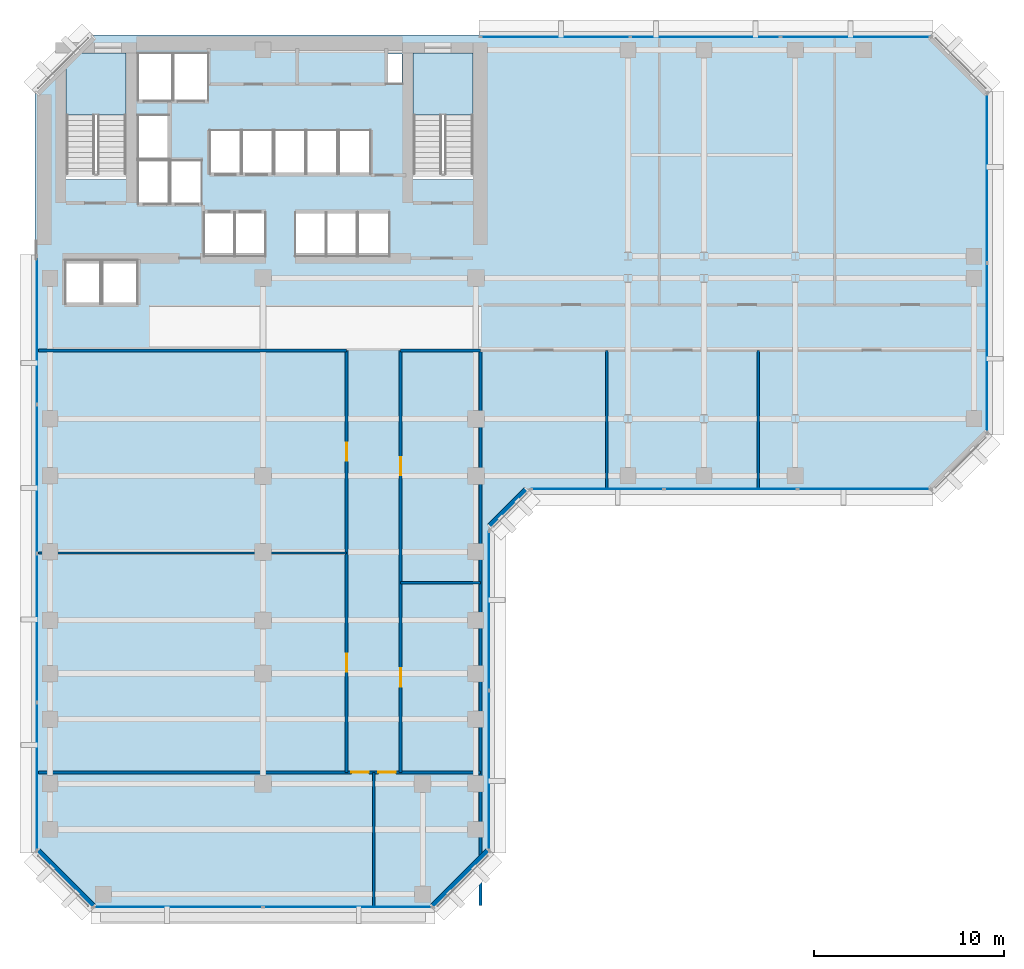
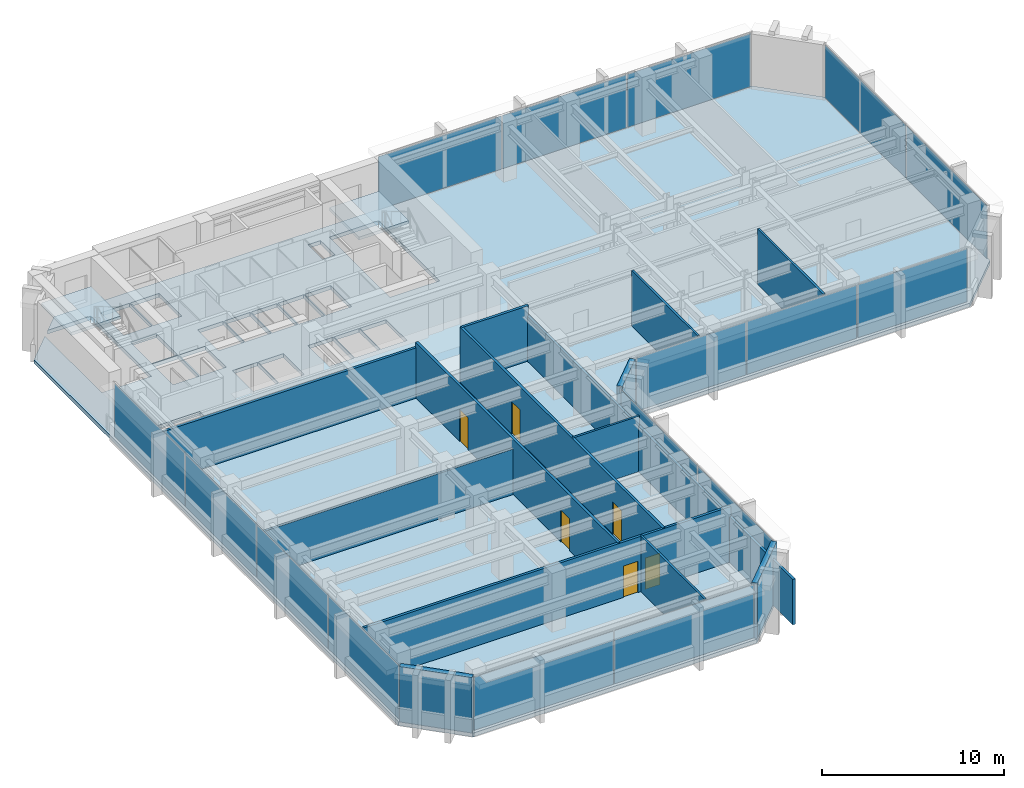
# One storey, part 6 of 12: 16 plates, 14 walls, 6 doors, 3 slabs, 6 openings, 8 elements without a shape of their own.
"""IFC4 building model written with IfcOpenShell, lengths in metres."""

from ifc_helpers import new_model, si_unit, direction, frame, frame_2d, origin, origin_2d, place, context, subcontext, project, spatial, polyline, rectangle, outline, extrude, material, layer, layer_set, type_object, element, fill, aggregate, save


model = new_model("IFC4")

# Units and contexts
model_context = context("Model", 3, precision=1e-05, world=origin(), true_north=direction((0.0, 1.0)))
body_context = subcontext(model_context, "Body", "Model", "MODEL_VIEW")
ifc_project = project(units=[si_unit("LENGTHUNIT", "METRE"), si_unit("AREAUNIT", "SQUARE_METRE"), si_unit("VOLUMEUNIT", "CUBIC_METRE"), si_unit("PLANEANGLEUNIT", "RADIAN"), si_unit("MASSUNIT", "GRAM", prefix="KILO")], contexts=[model_context])

# Site, building, storey
site_placement = place(None, origin())
site = spatial("IfcSite", under=ifc_project, at=site_placement, CompositionType="ELEMENT")
building_placement = place(site_placement, origin())
building = spatial("IfcBuilding", under=site, at=building_placement, Name="Kefirva Bronze Tower", CompositionType="ELEMENT")
storey_placement = place(building_placement, frame((0.0, 0.0, 122.429931640625)))
storey = spatial("IfcBuildingStorey", under=building, at=storey_placement, Name="L29", CompositionType="ELEMENT", Elevation=122.429931640625)

# Stair, slab
ifc_material_1 = material(Name="Concrete C40/50", Category="concrete")
stair_type = type_object("IfcStairType", Name="RC Dogleg Protected Stair 24R", PredefinedType="HALF_TURN_STAIR", material=ifc_material_1)
stair_1_placement = place(storey_placement, origin())
stair_1 = element("IfcStair", 1, at=stair_1_placement, inside=storey, type_object=stair_type, Name="L29 Protected Exit Stair 1", PredefinedType="HALF_TURN_STAIR")
ifc_layer_1 = layer(ifc_material_1, 0.199951171875, Name="Concrete C40/50")
ifc_layer_set_1 = layer_set([ifc_layer_1], Name="Concrete C40/50")
slab_type_1 = type_object("IfcSlabType", Name="RC Stair Landing Slab 200mm", PredefinedType="LANDING", material=ifc_layer_set_1)
slab_1_placement = place(storey_placement, frame((0.0, 0.0, 1.780029296875)))
slab_1 = element("IfcSlab", 2, at=slab_1_placement, type_object=slab_type_1, Name="ST-1 landing 1", PredefinedType="LANDING", context=body_context, shape_type="SweptSolid", body=[
    extrude(outline(polyline([(4.800048828125, 41.780029296875), (4.800048828125, 45.050048828125), (1.64990234375, 45.050048828125), (1.64990234375, 41.780029296875), (4.800048828125, 41.780029296875)])), origin(), (0.0, 0.0, 1.0), 0.199951171875),
])
aggregate(stair_1, [slab_1])

stair_2_placement = place(storey_placement, origin())
stair_2 = element("IfcStair", 3, at=stair_2_placement, inside=storey, type_object=stair_type, Name="L29 Protected Exit Stair 2", PredefinedType="HALF_TURN_STAIR")
slab_2_placement = place(storey_placement, frame((0.0, 0.0, 1.780029296875)))
slab_2 = element("IfcSlab", 4, at=slab_2_placement, type_object=slab_type_1, Name="ST-2 landing 1", PredefinedType="LANDING", context=body_context, shape_type="SweptSolid", body=[
    extrude(outline(polyline([(23.050048828125, 41.780029296875), (23.050048828125, 45.050048828125), (19.89990234375, 45.050048828125), (19.89990234375, 41.780029296875), (23.050048828125, 41.780029296875)])), origin(), (0.0, 0.0, 1.0), 0.199951171875),
])
aggregate(stair_2, [slab_2])

# Slab
ifc_layer_2 = layer(ifc_material_1, 0.25, Name="Concrete C40/50")
ifc_layer_set_2 = layer_set([ifc_layer_2], Name="Concrete C40/50")
slab_type_2 = type_object("IfcSlabType", Name="RC Tower Floor Slab 250mm", PredefinedType="FLOOR", material=ifc_layer_set_2)
slab_3_placement = place(storey_placement, frame((0.0, 0.0, -0.25)))
element("IfcSlab", 5, at=slab_3_placement, inside=storey, type_object=slab_type_2, Name="L29 Structural Floor Slab", PredefinedType="FLOOR", context=body_context, shape_type="SweptSolid", body=[
    extrude(outline(polyline([(0.0, 3.0), (0.0, 43.0), (1.64990234375, 44.64990234375), (1.64990234375, 38.39990234375), (4.800048828125, 38.39990234375), (4.800048828125, 45.050048828125), (2.050048828125, 45.050048828125), (3.0, 46.0), (47.199951171875, 46.0), (50.199951171875, 43.0), (50.199951171875, 25.0), (47.199951171875, 22.0), (26.0, 22.0), (24.0, 20.0), (24.0, 3.0), (21.0, 0.0), (3.0, 0.0), (0.0, 3.0)]), holes=[polyline([(19.89990234375, 38.39990234375), (23.050048828125, 38.39990234375), (23.050048828125, 45.050048828125), (19.89990234375, 45.050048828125), (19.89990234375, 38.39990234375)]), polyline([(18.52001953125, 43.419921875), (19.320068359375, 43.419921875), (19.320068359375, 45.0), (18.52001953125, 45.0), (18.52001953125, 43.419921875)]), polyline([(17.0, 34.35009765625), (18.64990234375, 34.35009765625), (18.64990234375, 36.64990234375), (17.0, 36.64990234375), (17.0, 34.35009765625)]), polyline([(17.64990234375, 38.679931640625), (17.64990234375, 40.97998046875), (16.0, 40.97998046875), (16.0, 38.679931640625), (17.64990234375, 38.679931640625)]), polyline([(16.949951171875, 34.35009765625), (16.949951171875, 36.64990234375), (15.35009765625, 36.64990234375), (15.35009765625, 34.35009765625), (16.949951171875, 34.35009765625)]), polyline([(15.929931640625, 38.679931640625), (15.929931640625, 40.97998046875), (14.300048828125, 40.97998046875), (14.300048828125, 38.679931640625), (15.929931640625, 38.679931640625)]), polyline([(15.300048828125, 34.35009765625), (15.300048828125, 36.64990234375), (13.699951171875, 36.64990234375), (13.699951171875, 34.35009765625), (15.300048828125, 34.35009765625)]), polyline([(14.22998046875, 38.679931640625), (14.22998046875, 40.97998046875), (12.60009765625, 40.97998046875), (12.60009765625, 38.679931640625), (14.22998046875, 38.679931640625)]), polyline([(10.89990234375, 38.679931640625), (12.530029296875, 38.679931640625), (12.530029296875, 40.97998046875), (10.89990234375, 40.97998046875), (10.89990234375, 38.679931640625)]), polyline([(12.139892578125, 34.35009765625), (12.139892578125, 36.64990234375), (10.5400390625, 36.64990234375), (10.5400390625, 34.35009765625), (12.139892578125, 34.35009765625)]), polyline([(10.830078125, 38.679931640625), (10.830078125, 40.97998046875), (9.199951171875, 40.97998046875), (9.199951171875, 38.679931640625), (10.830078125, 38.679931640625)]), polyline([(10.5, 34.35009765625), (10.5, 36.64990234375), (8.89990234375, 36.64990234375), (8.89990234375, 34.35009765625), (10.5, 34.35009765625)]), polyline([(7.300048828125, 42.550048828125), (9.1201171875, 42.550048828125), (9.1201171875, 45.050048828125), (7.300048828125, 45.050048828125), (7.300048828125, 42.550048828125)]), polyline([(7.139892578125, 37.10009765625), (8.780029296875, 37.10009765625), (8.780029296875, 39.39990234375), (7.139892578125, 39.39990234375), (7.139892578125, 37.10009765625)]), polyline([(5.419921875, 42.550048828125), (7.239990234375, 42.550048828125), (7.239990234375, 45.050048828125), (5.419921875, 45.050048828125), (5.419921875, 42.550048828125)]), polyline([(7.06005859375, 39.47998046875), (7.06005859375, 41.780029296875), (5.419921875, 41.780029296875), (5.419921875, 39.47998046875), (7.06005859375, 39.47998046875)]), polyline([(5.419921875, 37.10009765625), (7.06005859375, 37.10009765625), (7.06005859375, 39.39990234375), (5.419921875, 39.39990234375), (5.419921875, 37.10009765625)]), polyline([(5.39990234375, 31.85009765625), (5.39990234375, 34.14990234375), (3.550048828125, 34.14990234375), (3.550048828125, 31.85009765625), (5.39990234375, 31.85009765625)]), polyline([(3.449951171875, 31.85009765625), (3.449951171875, 34.14990234375), (1.60009765625, 34.14990234375), (1.60009765625, 31.85009765625), (3.449951171875, 31.85009765625)])]), origin(), (0.0, 0.0, 1.0), 0.25),
])

# Curtain wall, plates
ifc_material_2 = material(Name="Bronze anodised aluminium", Category="aluminium")
ifc_layer_3 = layer(ifc_material_2, 0.199951171875, Name="Bronze anodised aluminium")
ifc_layer_set_3 = layer_set([ifc_layer_3], Name="Bronze anodised aluminium")
curtain_wall_type = type_object("IfcCurtainWallType", Name="Unitised Bronze Ribbon Curtain Wall Zone 2", PredefinedType="USERDEFINED", material=ifc_layer_set_3)
curtain_wall_1_placement = place(storey_placement, origin())
curtain_wall_1 = element("IfcCurtainWall", 6, at=curtain_wall_1_placement, inside=storey, type_object=curtain_wall_type, Name="L29 Curtain Wall 1", ObjectType="UNITISED CURTAIN WALL", PredefinedType="USERDEFINED")
ifc_material_3 = material(Name="Laminated low-E double glazing", Category="glass")
ifc_layer_4 = layer(ifc_material_3, 0.031982421875, Name="Laminated low-E double glazing")
ifc_layer_set_4 = layer_set([ifc_layer_4], Name="Laminated low-E double glazing")
plate_type = type_object("IfcPlateType", Name="Solar-Control Low-E Vision Panel 32mm", PredefinedType="CURTAIN_PANEL", material=ifc_layer_set_4)
plate_1_placement = place(storey_placement, frame((7.546142578125, 0.1201171875, 0.074951171875), z_axis=(0.0, 0.0, 1.0), x_axis=(1.0, 0.0, 0.0)))
plate_1 = element("IfcPlate", 7, at=plate_1_placement, type_object=plate_type, Name="CW-02 panel 1.1", PredefinedType="CURTAIN_PANEL", context=body_context, shape_type="SweptSolid", body=[
    extrude(rectangle(XDim=8.83251953125, YDim=0.031982421875, at=origin_2d()), origin(), (0.0, 0.0, 1.0), 3.56005859375),
])
plate_2_placement = place(storey_placement, frame((16.453857421875, 0.1201171875, 0.074951171875), z_axis=(0.0, 0.0, 1.0), x_axis=(1.0, 0.0, 0.0)))
plate_2 = element("IfcPlate", 8, at=plate_2_placement, type_object=plate_type, Name="CW-02 panel 2.1", PredefinedType="CURTAIN_PANEL", context=body_context, shape_type="SweptSolid", body=[
    extrude(rectangle(XDim=8.83251953125, YDim=0.031982421875, at=origin_2d()), origin(), (0.0, 0.0, 1.0), 3.56005859375),
])
aggregate(curtain_wall_1, [plate_1, plate_2])

curtain_wall_2_placement = place(storey_placement, origin())
curtain_wall_2 = element("IfcCurtainWall", 9, at=curtain_wall_2_placement, inside=storey, type_object=curtain_wall_type, Name="L29 Curtain Wall 2", ObjectType="UNITISED CURTAIN WALL", PredefinedType="USERDEFINED")
plate_3_placement = place(storey_placement, frame((23.8798828125, 7.296142578125, 0.074951171875), z_axis=(0.0, 0.0, 1.0), x_axis=(0.0, 1.0, 0.0)))
plate_3 = element("IfcPlate", 10, at=plate_3_placement, type_object=plate_type, Name="CW-02 panel 1.1", PredefinedType="CURTAIN_PANEL", context=body_context, shape_type="SweptSolid", body=[
    extrude(rectangle(XDim=8.33251953125, YDim=0.031982421875, at=origin_2d()), origin(), (0.0, 0.0, 1.0), 3.56005859375),
])
plate_4_placement = place(storey_placement, frame((23.8798828125, 15.703857421875, 0.074951171875), z_axis=(0.0, 0.0, 1.0), x_axis=(0.0, 1.0, 0.0)))
plate_4 = element("IfcPlate", 11, at=plate_4_placement, type_object=plate_type, Name="CW-02 panel 2.1", PredefinedType="CURTAIN_PANEL", context=body_context, shape_type="SweptSolid", body=[
    extrude(rectangle(XDim=8.33251953125, YDim=0.031982421875, at=origin_2d()), origin(), (0.0, 0.0, 1.0), 3.56005859375),
])
aggregate(curtain_wall_2, [plate_3, plate_4])

curtain_wall_3_placement = place(storey_placement, origin())
curtain_wall_3 = element("IfcCurtainWall", 12, at=curtain_wall_3_placement, inside=storey, type_object=curtain_wall_type, Name="L29 Curtain Wall 3", ObjectType="UNITISED CURTAIN WALL", PredefinedType="USERDEFINED")
plate_5_placement = place(storey_placement, frame((29.5888671875, 22.1201171875, 0.074951171875), z_axis=(0.0, 0.0, 1.0), x_axis=(1.0, 0.0, 0.0)))
plate_5 = element("IfcPlate", 13, at=plate_5_placement, type_object=plate_type, Name="CW-02 panel 1.1", PredefinedType="CURTAIN_PANEL", context=body_context, shape_type="SweptSolid", body=[
    extrude(rectangle(XDim=6.91748046875, YDim=0.031982421875, at=origin_2d()), origin(), (0.0, 0.0, 1.0), 3.56005859375),
])
plate_6_placement = place(storey_placement, frame((36.60009765625, 22.1201171875, 0.074951171875), z_axis=(0.0, 0.0, 1.0), x_axis=(1.0, 0.0, 0.0)))
plate_6 = element("IfcPlate", 14, at=plate_6_placement, type_object=plate_type, Name="CW-02 panel 2.1", PredefinedType="CURTAIN_PANEL", context=body_context, shape_type="SweptSolid", body=[
    extrude(rectangle(XDim=6.955078125, YDim=0.031982421875, at=origin_2d()), origin(), (0.0, 0.0, 1.0), 3.56005859375),
])
plate_7_placement = place(storey_placement, frame((43.611328125, 22.1201171875, 0.074951171875), z_axis=(0.0, 0.0, 1.0), x_axis=(1.0, 0.0, 0.0)))
plate_7 = element("IfcPlate", 15, at=plate_7_placement, type_object=plate_type, Name="CW-02 panel 3.1", PredefinedType="CURTAIN_PANEL", context=body_context, shape_type="SweptSolid", body=[
    extrude(rectangle(XDim=6.91748046875, YDim=0.031982421875, at=origin_2d()), origin(), (0.0, 0.0, 1.0), 3.56005859375),
])
aggregate(curtain_wall_3, [plate_5, plate_6, plate_7])

curtain_wall_4_placement = place(storey_placement, origin())
curtain_wall_4 = element("IfcCurtainWall", 16, at=curtain_wall_4_placement, inside=storey, type_object=curtain_wall_type, Name="L29 Curtain Wall 4", ObjectType="UNITISED CURTAIN WALL", PredefinedType="USERDEFINED")
plate_8_placement = place(storey_placement, frame((50.080078125, 29.546142578125, 0.074951171875), z_axis=(0.0, 0.0, 1.0), x_axis=(0.0, 1.0, 0.0)))
plate_8 = element("IfcPlate", 17, at=plate_8_placement, type_object=plate_type, Name="CW-02 panel 1.1", PredefinedType="CURTAIN_PANEL", context=body_context, shape_type="SweptSolid", body=[
    extrude(rectangle(XDim=8.83251953125, YDim=0.031982421875, at=origin_2d()), origin(), (0.0, 0.0, 1.0), 3.56005859375),
])
plate_9_placement = place(storey_placement, frame((50.080078125, 38.453857421875, 0.074951171875), z_axis=(0.0, 0.0, 1.0), x_axis=(0.0, 1.0, 0.0)))
plate_9 = element("IfcPlate", 18, at=plate_9_placement, type_object=plate_type, Name="CW-02 panel 2.1", PredefinedType="CURTAIN_PANEL", context=body_context, shape_type="SweptSolid", body=[
    extrude(rectangle(XDim=8.83251953125, YDim=0.031982421875, at=origin_2d()), origin(), (0.0, 0.0, 1.0), 3.56005859375),
])
aggregate(curtain_wall_4, [plate_8, plate_9])

curtain_wall_5_placement = place(storey_placement, origin())
curtain_wall_5 = element("IfcCurtainWall", 19, at=curtain_wall_5_placement, inside=storey, type_object=curtain_wall_type, Name="L29 Curtain Wall 5", ObjectType="UNITISED CURTAIN WALL", PredefinedType="USERDEFINED")
plate_10_placement = place(storey_placement, frame((43.169677734375, 45.8798828125, 0.074951171875), z_axis=(0.0, 0.0, 1.0), x_axis=(-1.0, 0.0, 0.0)))
plate_10 = element("IfcPlate", 20, at=plate_10_placement, type_object=plate_type, Name="CW-02 panel 1.1", PredefinedType="CURTAIN_PANEL", context=body_context, shape_type="SweptSolid", body=[
    extrude(rectangle(XDim=7.80078125, YDim=0.031982421875, at=origin_2d()), origin(), (0.0, 0.0, 1.0), 3.56005859375),
])
plate_11_placement = place(storey_placement, frame((35.27490234375, 45.8798828125, 0.074951171875), z_axis=(0.0, 0.0, 1.0), x_axis=(-1.0, 0.0, 0.0)))
plate_11 = element("IfcPlate", 21, at=plate_11_placement, type_object=plate_type, Name="CW-02 panel 2.1", PredefinedType="CURTAIN_PANEL", context=body_context, shape_type="SweptSolid", body=[
    extrude(rectangle(XDim=7.83837890625, YDim=0.031982421875, at=origin_2d()), origin(), (0.0, 0.0, 1.0), 3.56005859375),
])
plate_12_placement = place(storey_placement, frame((27.38037109375, 45.8798828125, 0.074951171875), z_axis=(0.0, 0.0, 1.0), x_axis=(-1.0, 0.0, 0.0)))
plate_12 = element("IfcPlate", 22, at=plate_12_placement, type_object=plate_type, Name="CW-02 panel 3.1", PredefinedType="CURTAIN_PANEL", context=body_context, shape_type="SweptSolid", body=[
    extrude(rectangle(XDim=7.80078125, YDim=0.031982421875, at=origin_2d()), origin(), (0.0, 0.0, 1.0), 3.56005859375),
])
aggregate(curtain_wall_5, [plate_10, plate_11, plate_12])

curtain_wall_6_placement = place(storey_placement, origin())
curtain_wall_6 = element("IfcCurtainWall", 23, at=curtain_wall_6_placement, inside=storey, type_object=curtain_wall_type, Name="L29 Curtain Wall 6", ObjectType="UNITISED CURTAIN WALL", PredefinedType="USERDEFINED")
plate_13_placement = place(storey_placement, frame((0.1201171875, 30.458740234375, 0.074951171875), z_axis=(0.0, 0.0, 1.0), x_axis=(0.0, -1.0, 0.0)))
plate_13 = element("IfcPlate", 24, at=plate_13_placement, type_object=plate_type, Name="CW-02 panel 1.1", PredefinedType="CURTAIN_PANEL", context=body_context, shape_type="SweptSolid", body=[
    extrude(rectangle(XDim=7.722412109375, YDim=0.031982421875, at=origin_2d()), origin(), (0.0, 0.0, 1.0), 3.56005859375),
])
plate_14_placement = place(storey_placement, frame((0.1201171875, 22.642578125, 0.074951171875), z_axis=(0.0, 0.0, 1.0), x_axis=(0.0, -1.0, 0.0)))
plate_14 = element("IfcPlate", 25, at=plate_14_placement, type_object=plate_type, Name="CW-02 panel 2.1", PredefinedType="CURTAIN_PANEL", context=body_context, shape_type="SweptSolid", body=[
    extrude(rectangle(XDim=7.760009765625, YDim=0.031982421875, at=origin_2d()), origin(), (0.0, 0.0, 1.0), 3.56005859375),
])
plate_15_placement = place(storey_placement, frame((0.1201171875, 14.8076171875, 0.074951171875), z_axis=(0.0, 0.0, 1.0), x_axis=(0.0, -1.0, 0.0)))
plate_15 = element("IfcPlate", 26, at=plate_15_placement, type_object=plate_type, Name="CW-02 panel 3.1", PredefinedType="CURTAIN_PANEL", context=body_context, shape_type="SweptSolid", body=[
    extrude(rectangle(XDim=7.760009765625, YDim=0.031982421875, at=origin_2d()), origin(), (0.0, 0.0, 1.0), 3.56005859375),
])
plate_16_placement = place(storey_placement, frame((0.1201171875, 6.9912109375, 0.074951171875), z_axis=(0.0, 0.0, 1.0), x_axis=(0.0, -1.0, 0.0)))
plate_16 = element("IfcPlate", 27, at=plate_16_placement, type_object=plate_type, Name="CW-02 panel 4.1", PredefinedType="CURTAIN_PANEL", context=body_context, shape_type="SweptSolid", body=[
    extrude(rectangle(XDim=7.722412109375, YDim=0.031982421875, at=origin_2d()), origin(), (0.0, 0.0, 1.0), 3.56005859375),
])
aggregate(curtain_wall_6, [plate_13, plate_14, plate_15, plate_16])

# Walls
ifc_material_4 = material(Name="Gypsum acoustic partition")
ifc_layer_5 = layer(ifc_material_4, 0.1298828125, Name="Gypsum acoustic partition")
ifc_layer_set_5 = layer_set([ifc_layer_5], Name="Gypsum acoustic partition")
wall_type_1 = type_object("IfcWallType", Name="Acoustic Office Partition 130mm", PredefinedType="PARTITIONING", material=ifc_layer_set_5)
wall_1_placement = place(storey_placement, frame((17.820068359375, 0.18994140625, 0.0), z_axis=(0.0, 0.0, 1.0), x_axis=(0.0, 1.0, 0.0)))
element("IfcWall", 28, at=wall_1_placement, inside=storey, type_object=wall_type_1, Name="L29 Partition W-L29-CAPDV", PredefinedType="PARTITIONING", context=body_context, shape_type="SweptSolid", body=[
    extrude(rectangle(XDim=7.010009765625, YDim=0.1298828125, at=frame_2d((3.5048828125, 0.0))), origin(), (0.0, 0.0, 1.0), 3.7099609375),
])
wall_2_placement = place(storey_placement, frame((0.18994140625, 18.743896484375, 0.0), z_axis=(0.0, 0.0, 1.0), x_axis=(1.0, 0.0, 0.0)))
element("IfcWall", 29, at=wall_2_placement, inside=storey, type_object=wall_type_1, Name="L29 Partition W-L29-SWD1", PredefinedType="PARTITIONING", context=body_context, shape_type="SweptSolid", body=[
    extrude(rectangle(XDim=16.2099609375, YDim=0.1298828125, at=frame_2d((8.10498046875, 0.0))), origin(), (0.0, 0.0, 1.0), 3.045166015625),
])
wall_3_placement = place(storey_placement, frame((19.239990234375, 17.18994140625, 0.0), z_axis=(0.0, 0.0, 1.0), x_axis=(1.0, 0.0, 0.0)))
element("IfcWall", 30, at=wall_3_placement, inside=storey, type_object=wall_type_1, Name="L29 Partition W-L29-SED1", PredefinedType="PARTITIONING", context=body_context, shape_type="SweptSolid", body=[
    extrude(rectangle(XDim=4.2099609375, YDim=0.1298828125, at=frame_2d((2.10498046875, 0.0))), origin(), (0.0, 0.0, 1.0), 3.7099609375),
])
for number, where, z_axis, x_axis, name in (
    (31, (30.090087890625, 22.18994140625, 0.0), (0.0, 0.0, 1.0), (0.0, 1.0, 0.0), "L29 Partition W-L29-ESD1"),
    (32, (38.05810546875, 22.18994140625, 0.0), (0.0, 0.0, 1.0), (0.0, 1.0, 0.0), "L29 Partition W-L29-ESD2"),
):
    element("IfcWall", number, at=place(storey_placement, frame(where, z_axis=z_axis, x_axis=x_axis)), inside=storey, type_object=wall_type_1, Name=name, PredefinedType="PARTITIONING", context=body_context, shape_type="SweptSolid", body=[
        extrude(rectangle(XDim=7.2099609375, YDim=0.1298828125, at=frame_2d((3.60498046875, 0.0))), origin(), (0.0, 0.0, 1.0), 3.7099609375),
    ])
ifc_material_5 = material(Name="Precast concrete C40/50", Category="concrete")
ifc_layer_6 = layer(ifc_material_5, 0.320068359375, Name="Precast concrete C40/50")
ifc_layer_set_6 = layer_set([ifc_layer_6], Name="Precast concrete C40/50")
wall_type_2 = type_object("IfcWallType", Name="Precast Insulated Exterior Wall 320mm", PredefinedType="SOLIDWALL", material=ifc_layer_set_6)
wall_4_placement = place(storey_placement, frame((20.92578125, 0.152099609375, 0.0), z_axis=(0.0, 0.0, 1.0), x_axis=(0.707106781187, 0.707106781187, 0.0)))
element("IfcWall", 33, at=wall_4_placement, inside=storey, type_object=wall_type_2, Name="L29 Exterior Facade Wall 1", PredefinedType="SOLIDWALL", context=body_context, shape_type="SweptSolid", body=[
    extrude(rectangle(XDim=4.132568359375, YDim=0.320068359375, at=frame_2d((2.06640625, 0.0))), origin(), (0.0, 0.0, 1.0), 3.7099609375),
])
wall_5_placement = place(storey_placement, frame((23.92578125, 20.152099609375, 0.0), z_axis=(0.0, 0.0, 1.0), x_axis=(0.707106781187, 0.707106781187, 0.0)))
element("IfcWall", 34, at=wall_5_placement, inside=storey, type_object=wall_type_2, Name="L29 Exterior Facade Wall 2", PredefinedType="SOLIDWALL", context=body_context, shape_type="SweptSolid", body=[
    extrude(rectangle(XDim=2.71826171875, YDim=0.320068359375, at=frame_2d((1.359130859375, 0.0))), origin(), (0.0, 0.0, 1.0), 3.7099609375),
])
wall_6_placement = place(storey_placement, frame((0.152099609375, 3.07421875, 0.0), z_axis=(0.0, 0.0, 1.0), x_axis=(0.707106781187, -0.707106781187, 0.0)))
element("IfcWall", 35, at=wall_6_placement, inside=storey, type_object=wall_type_2, Name="L29 Exterior Facade Wall 6", PredefinedType="SOLIDWALL", context=body_context, shape_type="SweptSolid", body=[
    extrude(rectangle(XDim=4.132568359375, YDim=0.320068359375, at=frame_2d((2.06640625, 0.0))), origin(), (0.0, 0.0, 1.0), 3.7099609375),
])

# Wall, openings, doors
ifc_layer_7 = layer(ifc_material_4, 0.159912109375, Name="Gypsum acoustic partition")
ifc_layer_set_7 = layer_set([ifc_layer_7], Name="Gypsum acoustic partition")
wall_type_3 = type_object("IfcWallType", Name="Protected Corridor Partition 160mm", PredefinedType="PARTITIONING", material=ifc_layer_set_7)
wall_7_placement = place(storey_placement, frame((16.39990234375, 7.199951171875, 0.0), z_axis=(0.0, 0.0, 1.0), x_axis=(0.0, 1.0, 0.0)))
wall_7 = element("IfcWall", 36, at=wall_7_placement, inside=storey, type_object=wall_type_3, Name="L29 Partition W-L29-SWCORW", PredefinedType="PARTITIONING", context=body_context, shape_type="SweptSolid", body=[
    extrude(rectangle(XDim=22.199951171875, YDim=0.159912109375, at=frame_2d((11.10009765625, 0.0))), origin(), (0.0, 0.0, 1.0), 3.7099609375),
])
opening_1_placement = place(wall_7_placement, frame((6.2470703125, 0.0, 0.0), z_axis=(0.0, 0.0, 1.0), x_axis=(-1.0, 0.0, 0.0)))
opening_1 = element("IfcOpeningElement", 37, at=opening_1_placement, cuts=wall_7, Name="Opening L29-D-SW1", PredefinedType="OPENING", context=body_context, shape_type="SweptSolid", body=[
    extrude(rectangle(XDim=0.949951171875, YDim=2.14990234375, at=frame_2d((0.47509765625, 1.074951171875))), frame((0.0, 0.08984375, 0.0), z_axis=(0.0, -1.0, 0.0), x_axis=(1.0, 0.0, 0.0)), (0.0, 0.0, 1.0), 0.179931640625),
])
opening_2_placement = place(wall_7_placement, frame((17.346923828125, 0.0, 0.0), z_axis=(0.0, 0.0, 1.0), x_axis=(-1.0, 0.0, 0.0)))
opening_2 = element("IfcOpeningElement", 38, at=opening_2_placement, cuts=wall_7, Name="Opening L29-D-SW2", PredefinedType="OPENING", context=body_context, shape_type="SweptSolid", body=[
    extrude(rectangle(XDim=0.949951171875, YDim=2.14990234375, at=frame_2d((0.47509765625, 1.074951171875))), frame((0.0, 0.08984375, 0.0), z_axis=(0.0, -1.0, 0.0), x_axis=(1.0, 0.0, 0.0)), (0.0, 0.0, 1.0), 0.179931640625),
])
ifc_material_6 = material(Name="Acoustic hardwood oak", Category="wood")
door_type_1 = type_object("IfcDoorType", Name="Office & Meeting Room Door 950x2150", OperationType="NOTDEFINED", PredefinedType="DOOR", material=ifc_material_6)
door_1_placement = place(opening_1_placement, origin())
door_1 = element("IfcDoor", 39, at=door_1_placement, inside=storey, type_object=door_type_1, Name="Door L29-D-SW1", OperationType="SINGLE_SWING_RIGHT", OverallHeight=2.14990234375, OverallWidth=0.949951171875, PredefinedType="DOOR", context=body_context, shape_type="SweptSolid", body=[
    extrude(rectangle(XDim=0.949951171875, YDim=2.14990234375, at=frame_2d((0.47509765625, 1.074951171875))), frame((0.0, 0.02490234375, 0.0), z_axis=(0.0, -1.0, 0.0), x_axis=(1.0, 0.0, 0.0)), (0.0, 0.0, 1.0), 0.050048828125),
])
fill(opening_1, door_1)
door_2_placement = place(opening_2_placement, origin())
door_2 = element("IfcDoor", 40, at=door_2_placement, inside=storey, type_object=door_type_1, Name="Door L29-D-SW2", OperationType="SINGLE_SWING_LEFT", OverallHeight=2.14990234375, OverallWidth=0.949951171875, PredefinedType="DOOR", context=body_context, shape_type="SweptSolid", body=[
    extrude(rectangle(XDim=0.949951171875, YDim=2.14990234375, at=frame_2d((0.47509765625, 1.074951171875))), frame((0.0, 0.02490234375, 0.0), z_axis=(0.0, -1.0, 0.0), x_axis=(1.0, 0.0, 0.0)), (0.0, 0.0, 1.0), 0.050048828125),
])
fill(opening_2, door_2)

wall_8_placement = place(storey_placement, frame((19.239990234375, 7.199951171875, 0.0), z_axis=(0.0, 0.0, 1.0), x_axis=(0.0, 1.0, 0.0)))
wall_8 = element("IfcWall", 41, at=wall_8_placement, inside=storey, type_object=wall_type_3, Name="L29 Partition W-L29-SECORE", PredefinedType="PARTITIONING", context=body_context, shape_type="SweptSolid", body=[
    extrude(rectangle(XDim=22.199951171875, YDim=0.159912109375, at=frame_2d((11.10009765625, 0.0))), origin(), (0.0, 0.0, 1.0), 3.7099609375),
])
opening_3_placement = place(wall_8_placement, frame((4.52001953125, 0.0, 0.0)))
opening_3 = element("IfcOpeningElement", 42, at=opening_3_placement, cuts=wall_8, Name="Opening L29-D-SE1", PredefinedType="OPENING", context=body_context, shape_type="SweptSolid", body=[
    extrude(rectangle(XDim=0.949951171875, YDim=2.14990234375, at=frame_2d((0.47509765625, 1.074951171875))), frame((0.0, 0.08984375, 0.0), z_axis=(0.0, -1.0, 0.0), x_axis=(1.0, 0.0, 0.0)), (0.0, 0.0, 1.0), 0.179931640625),
])
opening_4_placement = place(wall_8_placement, frame((15.6201171875, 0.0, 0.0)))
opening_4 = element("IfcOpeningElement", 43, at=opening_4_placement, cuts=wall_8, Name="Opening L29-D-SE2", PredefinedType="OPENING", context=body_context, shape_type="SweptSolid", body=[
    extrude(rectangle(XDim=0.949951171875, YDim=2.14990234375, at=frame_2d((0.47509765625, 1.074951171875))), frame((0.0, 0.08984375, 0.0), z_axis=(0.0, -1.0, 0.0), x_axis=(1.0, 0.0, 0.0)), (0.0, 0.0, 1.0), 0.179931640625),
])
door_3_placement = place(opening_3_placement, origin())
door_3 = element("IfcDoor", 44, at=door_3_placement, inside=storey, type_object=door_type_1, Name="Door L29-D-SE1", OperationType="SINGLE_SWING_RIGHT", OverallHeight=2.14990234375, OverallWidth=0.949951171875, PredefinedType="DOOR", context=body_context, shape_type="SweptSolid", body=[
    extrude(rectangle(XDim=0.949951171875, YDim=2.14990234375, at=frame_2d((0.47509765625, 1.074951171875))), frame((0.0, 0.02490234375, 0.0), z_axis=(0.0, -1.0, 0.0), x_axis=(1.0, 0.0, 0.0)), (0.0, 0.0, 1.0), 0.050048828125),
])
fill(opening_3, door_3)
door_4_placement = place(opening_4_placement, origin())
door_4 = element("IfcDoor", 45, at=door_4_placement, inside=storey, type_object=door_type_1, Name="Door L29-D-SE2", OperationType="SINGLE_SWING_LEFT", OverallHeight=2.14990234375, OverallWidth=0.949951171875, PredefinedType="DOOR", context=body_context, shape_type="SweptSolid", body=[
    extrude(rectangle(XDim=0.949951171875, YDim=2.14990234375, at=frame_2d((0.47509765625, 1.074951171875))), frame((0.0, 0.02490234375, 0.0), z_axis=(0.0, -1.0, 0.0), x_axis=(1.0, 0.0, 0.0)), (0.0, 0.0, 1.0), 0.050048828125),
])
fill(opening_4, door_4)

wall_9_placement = place(storey_placement, frame((0.18994140625, 7.199951171875, 0.0), z_axis=(0.0, 0.0, 1.0), x_axis=(1.0, 0.0, 0.0)))
wall_9 = element("IfcWall", 46, at=wall_9_placement, inside=storey, type_object=wall_type_3, Name="L29 Partition W-L29-SBEND", PredefinedType="PARTITIONING", context=body_context, shape_type="SweptSolid", body=[
    extrude(rectangle(XDim=23.260009765625, YDim=0.159912109375, at=frame_2d((11.6298828125, 0.0))), origin(), (0.0, 0.0, 1.0), 3.7099609375),
])
opening_5_placement = place(wall_9_placement, frame((16.4599609375, 0.0, 0.0)))
opening_5 = element("IfcOpeningElement", 47, at=opening_5_placement, cuts=wall_9, Name="Opening L29-D-SEND1", PredefinedType="OPENING", context=body_context, shape_type="SweptSolid", body=[
    extrude(rectangle(XDim=0.919921875, YDim=2.10009765625, at=frame_2d((0.4599609375, 1.050048828125))), frame((0.0, 0.08984375, 0.0), z_axis=(0.0, -1.0, 0.0), x_axis=(1.0, 0.0, 0.0)), (0.0, 0.0, 1.0), 0.179931640625),
])
opening_6_placement = place(wall_9_placement, frame((17.8798828125, 0.0, 0.0)))
opening_6 = element("IfcOpeningElement", 48, at=opening_6_placement, cuts=wall_9, Name="Opening L29-D-SEND2", PredefinedType="OPENING", context=body_context, shape_type="SweptSolid", body=[
    extrude(rectangle(XDim=0.919921875, YDim=2.10009765625, at=frame_2d((0.4599609375, 1.050048828125))), frame((0.0, 0.08984375, 0.0), z_axis=(0.0, -1.0, 0.0), x_axis=(1.0, 0.0, 0.0)), (0.0, 0.0, 1.0), 0.179931640625),
])
ifc_material_7 = material(Name="Moisture-resistant timber", Category="wood")
door_type_2 = type_object("IfcDoorType", Name="Accessible Sanitary & WC Door 920x2100", OperationType="NOTDEFINED", PredefinedType="DOOR", material=ifc_material_7)
door_5_placement = place(opening_5_placement, origin())
door_5 = element("IfcDoor", 49, at=door_5_placement, inside=storey, type_object=door_type_2, Name="Door L29-D-SEND1", OperationType="SINGLE_SWING_RIGHT", OverallHeight=2.10009765625, OverallWidth=0.919921875, PredefinedType="DOOR", context=body_context, shape_type="SweptSolid", body=[
    extrude(rectangle(XDim=0.919921875, YDim=2.10009765625, at=frame_2d((0.4599609375, 1.050048828125))), frame((0.0, 0.02490234375, 0.0), z_axis=(0.0, -1.0, 0.0), x_axis=(1.0, 0.0, 0.0)), (0.0, 0.0, 1.0), 0.050048828125),
])
fill(opening_5, door_5)
door_6_placement = place(opening_6_placement, origin())
door_6 = element("IfcDoor", 50, at=door_6_placement, inside=storey, type_object=door_type_2, Name="Door L29-D-SEND2", OperationType="SINGLE_SWING_LEFT", OverallHeight=2.10009765625, OverallWidth=0.919921875, PredefinedType="DOOR", context=body_context, shape_type="SweptSolid", body=[
    extrude(rectangle(XDim=0.919921875, YDim=2.10009765625, at=frame_2d((0.4599609375, 1.050048828125))), frame((0.0, 0.02490234375, 0.0), z_axis=(0.0, -1.0, 0.0), x_axis=(1.0, 0.0, 0.0)), (0.0, 0.0, 1.0), 0.050048828125),
])
fill(opening_6, door_6)

# Walls
wall_10_placement = place(storey_placement, frame((0.18994140625, 29.39990234375, 0.0), z_axis=(0.0, 0.0, 1.0), x_axis=(1.0, 0.0, 0.0)))
element("IfcWall", 51, at=wall_10_placement, inside=storey, type_object=wall_type_3, Name="L29 Partition W-L29-NWT", PredefinedType="PARTITIONING", context=body_context, shape_type="SweptSolid", body=[
    extrude(rectangle(XDim=16.2099609375, YDim=0.159912109375, at=frame_2d((8.10498046875, 0.0))), origin(), (0.0, 0.0, 1.0), 3.364990234375),
])
wall_11_placement = place(storey_placement, frame((19.239990234375, 29.39990234375, 0.0), z_axis=(0.0, 0.0, 1.0), x_axis=(1.0, 0.0, 0.0)))
element("IfcWall", 52, at=wall_11_placement, inside=storey, type_object=wall_type_3, Name="L29 Partition W-L29-NET", PredefinedType="PARTITIONING", context=body_context, shape_type="SweptSolid", body=[
    extrude(rectangle(XDim=4.2099609375, YDim=0.159912109375, at=frame_2d((2.10498046875, 0.0))), origin(), (0.0, 0.0, 1.0), 3.7099609375),
])
wall_12_placement = place(storey_placement, frame((23.449951171875, 0.18994140625, 0.0), z_axis=(0.0, 0.0, 1.0), x_axis=(0.0, 1.0, 0.0)))
element("IfcWall", 53, at=wall_12_placement, inside=storey, type_object=wall_type_3, Name="L29 Partition W-L29-SWEAST", PredefinedType="PARTITIONING", context=body_context, shape_type="SweptSolid", body=[
    extrude(rectangle(XDim=29.2099609375, YDim=0.159912109375, at=frame_2d((14.60498046875, 0.0))), origin(), (0.0, 0.0, 1.0), 3.045166015625),
])

save(model, "model.ifc")
